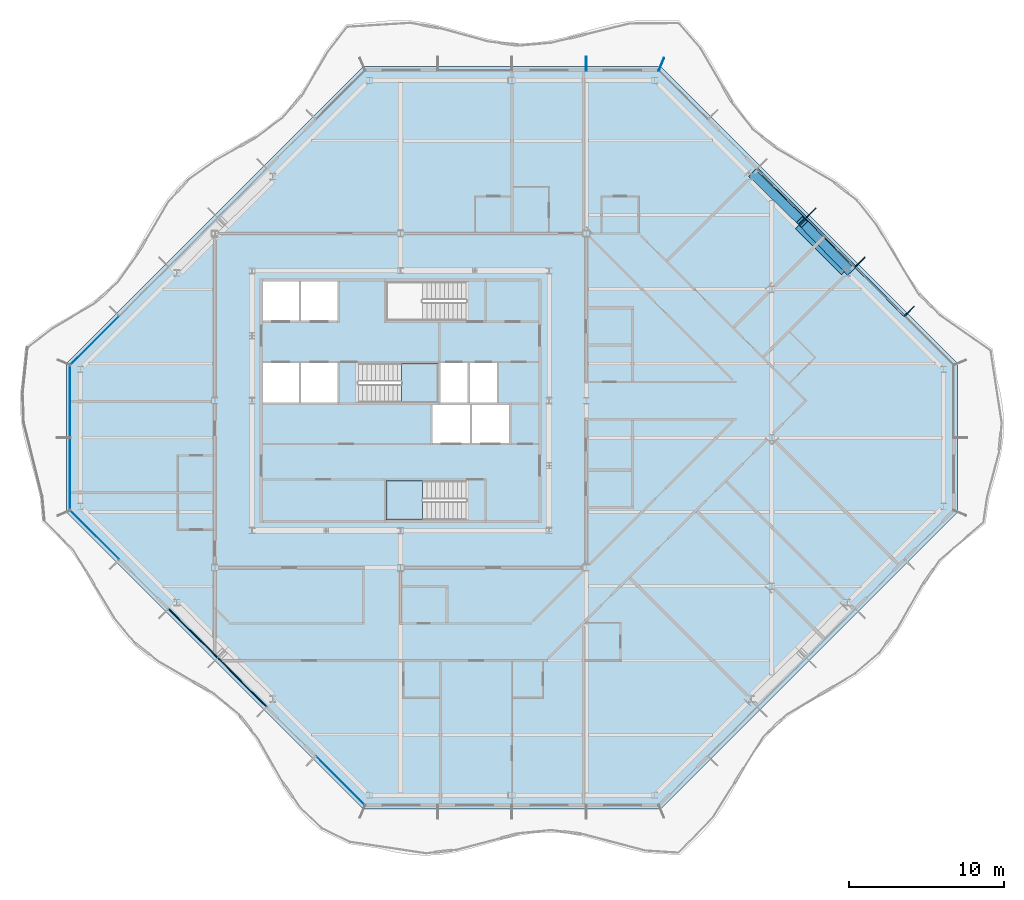
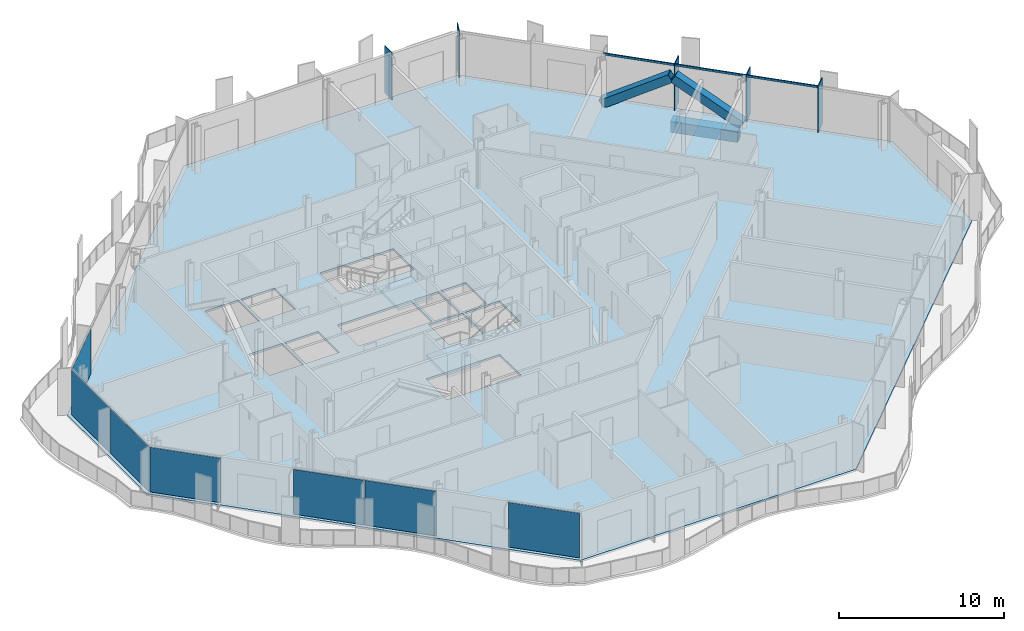
# One storey, part 5 of 17: 10 members, 7 plates, 3 slabs, 1 beam, 7 elements without a shape of their own.
"""IFC4 building model written with IfcOpenShell, lengths in metres."""

from ifc_helpers import new_model, si_unit, direction, frame, origin, origin_2d, place, context, subcontext, project, spatial, polyline, rectangle, hollow_rectangle, outline, extrude, material, layer, layer_set, material_profile, profile_set, type_object, element, aggregate, save


model = new_model("IFC4")

# Units and contexts
model_context = context("Model", 3, precision=1e-05, world=origin(), true_north=direction((0.0, 1.0)))
body_context = subcontext(model_context, "Body", "Model", "MODEL_VIEW")
ifc_project = project(units=[si_unit("LENGTHUNIT", "METRE"), si_unit("AREAUNIT", "SQUARE_METRE"), si_unit("VOLUMEUNIT", "CUBIC_METRE"), si_unit("PLANEANGLEUNIT", "RADIAN"), si_unit("MASSUNIT", "GRAM", prefix="KILO")], contexts=[model_context])

# Site, building, storey
site_placement = place(None, origin())
site = spatial("IfcSite", under=ifc_project, at=site_placement, CompositionType="ELEMENT")
building_placement = place(site_placement, origin())
building = spatial("IfcBuilding", under=site, at=building_placement, Name="Cairn Pilgrim Tower", CompositionType="ELEMENT")
storey_placement = place(building_placement, frame((0.0, 0.0, 221.39990234375)))
storey = spatial("IfcBuildingStorey", under=building, at=storey_placement, Name="L56", CompositionType="ELEMENT", Elevation=221.39990234375)

# Members
ifc_material_1 = material(Name="Structural steel S460M", Category="steel")
ifc_material_profile_1 = material_profile(ifc_material_1, hollow_rectangle(XDim=0.60009765625, YDim=0.60009765625, WallThickness=0.034912109375, at=origin_2d()), Name="BOX 600x600x35")
ifc_profile_set_1 = profile_set([ifc_material_profile_1], Name="Structural steel S460M")
member_type_1 = type_object("IfcMemberType", Name="BOX 600x600x35 BRACE", PredefinedType="BRACE", material=ifc_profile_set_1)
for number, where, z_axis, x_axis, name in (
    (1, (36.201416015625, 10.823974609375, 0.150146484375), (-0.594778373814, 0.610009201523, 0.523571828979), (-0.715988756584, -0.698111810848, 0.0), "XB-NE2-NE3-1"),
    (2, (30.02392578125, 17.00146484375, 0.150146484375), (0.610009201523, -0.594778373814, 0.523571828979), (0.698111810848, 0.715988756584, 0.0), "XB-NE2-NE3-2"),
):
    element("IfcMember", number, at=place(storey_placement, frame(where, z_axis=z_axis, x_axis=x_axis)), inside=storey, type_object=member_type_1, Name=name, PredefinedType="BRACE", context=body_context, shape_type="SweptSolid", body=[
        extrude(hollow_rectangle(XDim=0.60009765625, YDim=0.60009765625, WallThickness=0.034912109375, at=origin_2d()), origin(), (0.0, 0.0, 1.0), 5.033203125),
    ])

# Beam
ifc_material_2 = material(Name="Structural steel S355J2", Category="steel")
ifc_material_profile_2 = material_profile(ifc_material_2, hollow_rectangle(XDim=0.699951171875, YDim=0.800048828125, WallThickness=0.0400390625, at=origin_2d()), Name="BOX 700x800x40")
ifc_profile_set_2 = profile_set([ifc_material_profile_2], Name="Structural steel S355J2")
beam_type = type_object("IfcBeamType", Name="BOX 700x800x40 RING GIRDER", PredefinedType="SPANDREL", material=ifc_profile_set_2)
beam_placement = place(storey_placement, frame((35.943359375, 10.78369140625, -0.5498046875), z_axis=(-0.707077813866, 0.707135747321, 0.0), x_axis=(-0.707135747321, -0.707077813866, 0.0)))
element("IfcBeam", 3, at=beam_placement, inside=storey, type_object=beam_type, Name="RG3-NE2-NE3-1", PredefinedType="SPANDREL", context=body_context, shape_type="SweptSolid", body=[
    extrude(hollow_rectangle(XDim=0.699951171875, YDim=0.800048828125, WallThickness=0.0400390625, at=origin_2d()), origin(), (0.0, 0.0, 1.0), 4.214111328125),
])

# Curtain wall, members
ifc_material_3 = material(Name="Aluminium alloy 6063-T6 bronze anodised with Bronze tinted laminated low-E glass 8+16+8.8", Category="aluminium")
curtain_wall_type_1 = type_object("IfcCurtainWallType", Name="CHAMFER CORNER CURTAIN WALL", PredefinedType="NOTDEFINED", material=ifc_material_3)
curtain_wall_1_placement = place(storey_placement, origin())
curtain_wall_1 = element("IfcCurtainWall", 4, at=curtain_wall_1_placement, inside=storey, type_object=curtain_wall_type_1, Name="Chamfer Corner Curtain Wall NE", PredefinedType="NOTDEFINED")
ifc_material_4 = material(Name="Aluminium alloy 6063-T6 bronze anodised", Category="aluminium")
ifc_material_profile_3 = material_profile(ifc_material_4, rectangle(XDim=0.89990234375, YDim=0.06005859375, at=origin_2d()), Name="FIN MULLION 60x900 BRONZE")
ifc_profile_set_3 = profile_set([ifc_material_profile_3], Name="Aluminium alloy 6063-T6 bronze anodised")
member_type_2 = type_object("IfcMemberType", Name="FIN MULLION 60x900 BRONZE", PredefinedType="MULLION", material=ifc_profile_set_3)
member_1_placement = place(storey_placement, frame((40.0712890625, 8.1689453125, 0.0), z_axis=(0.0, 0.0, 1.0), x_axis=(0.707106781187, 0.707106781187, 0.0)))
member_1 = element("IfcMember", 5, at=member_1_placement, type_object=member_type_2, Name="Fin mullion NE2", PredefinedType="MULLION", context=body_context, shape_type="SweptSolid", body=[
    extrude(rectangle(XDim=0.89990234375, YDim=0.06005859375, at=origin_2d()), origin(), (0.0, 0.0, 1.0), 3.4501953125),
])
member_2_placement = place(storey_placement, frame((36.895751953125, 11.3447265625, 0.0), z_axis=(0.0, 0.0, 1.0), x_axis=(0.707106781187, 0.707106781187, 0.0)))
member_2 = element("IfcMember", 6, at=member_2_placement, type_object=member_type_2, Name="Fin mullion NE3", PredefinedType="MULLION", context=body_context, shape_type="SweptSolid", body=[
    extrude(rectangle(XDim=0.89990234375, YDim=0.06005859375, at=origin_2d()), origin(), (0.0, 0.0, 1.0), 3.4501953125),
])
member_3_placement = place(storey_placement, frame((33.72021484375, 14.520263671875, 0.0), z_axis=(0.0, 0.0, 1.0), x_axis=(0.707106781187, 0.707106781187, 0.0)))
member_3 = element("IfcMember", 7, at=member_3_placement, type_object=member_type_2, Name="Fin mullion NE4", PredefinedType="MULLION", context=body_context, shape_type="SweptSolid", body=[
    extrude(rectangle(XDim=0.89990234375, YDim=0.06005859375, at=origin_2d()), origin(), (0.0, 0.0, 1.0), 3.4501953125),
])

curtain_wall_type_2 = type_object("IfcCurtainWallType", Name="TOWER STICK CURTAIN WALL NS", PredefinedType="NOTDEFINED", material=ifc_material_3)
curtain_wall_2_placement = place(storey_placement, origin())
curtain_wall_2 = element("IfcCurtainWall", 8, at=curtain_wall_2_placement, inside=storey, type_object=curtain_wall_type_2, Name="Tower Stick Curtain Wall Ns N", PredefinedType="NOTDEFINED")
member_4_placement = place(storey_placement, frame((24.05712890625, 24.137939453125, 0.0), z_axis=(0.0, 0.0, 1.0), x_axis=(0.382683432365, 0.923879532511, 0.0)))
member_4 = element("IfcMember", 9, at=member_4_placement, type_object=member_type_2, Name="Fin mullion N1", PredefinedType="MULLION", context=body_context, shape_type="SweptSolid", body=[
    extrude(rectangle(XDim=0.89990234375, YDim=0.06005859375, at=origin_2d()), origin(), (0.0, 0.0, 1.0), 3.4501953125),
])
member_5_placement = place(storey_placement, frame((19.199951171875, 24.169921875, 0.0), z_axis=(0.0, 0.0, 1.0), x_axis=(0.0, 1.0, 0.0)))
member_5 = element("IfcMember", 10, at=member_5_placement, type_object=member_type_2, Name="Fin mullion N2", PredefinedType="MULLION", context=body_context, shape_type="SweptSolid", body=[
    extrude(rectangle(XDim=0.89990234375, YDim=0.06005859375, at=origin_2d()), origin(), (0.0, 0.0, 1.0), 3.4501953125),
])
aggregate(curtain_wall_2, [member_4, member_5])

# Member
ifc_material_profile_4 = material_profile(ifc_material_4, rectangle(XDim=0.080078125, YDim=0.14990234375, at=origin_2d()), Name="TRANSOM 80x150 BRONZE")
ifc_profile_set_4 = profile_set([ifc_material_profile_4], Name="Aluminium alloy 6063-T6 bronze anodised")
member_type_3 = type_object("IfcMemberType", Name="TRANSOM 80x150 BRONZE", PredefinedType="USERDEFINED", material=ifc_profile_set_4)
member_6_placement = place(storey_placement, frame((39.753173828125, 7.893310546875, 3.375), z_axis=(-0.707106781187, 0.707106781187, 0.0), x_axis=(-0.707106781187, -0.707106781187, 0.0)))
member_6 = element("IfcMember", 11, at=member_6_placement, type_object=member_type_3, Name="Transom NE2", ObjectType="TRANSOM", PredefinedType="USERDEFINED", context=body_context, shape_type="SweptSolid", body=[
    extrude(rectangle(XDim=0.080078125, YDim=0.14990234375, at=origin_2d()), origin(), (0.0, 0.0, 1.0), 4.430908203125),
])

member_7_placement = place(storey_placement, frame((36.57763671875, 11.06884765625, 3.375), z_axis=(-0.707134329907, 0.707079231393, 0.0), x_axis=(-0.707079231393, -0.707134329907, 0.0)))
member_7 = element("IfcMember", 12, at=member_7_placement, type_object=member_type_3, Name="Transom NE3", ObjectType="TRANSOM", PredefinedType="USERDEFINED", context=body_context, shape_type="SweptSolid", body=[
    extrude(rectangle(XDim=0.080078125, YDim=0.14990234375, at=origin_2d()), origin(), (0.0, 0.0, 1.0), 4.430908203125),
])

member_8_placement = place(storey_placement, frame((33.402099609375, 14.244384765625, 3.375), z_axis=(-0.707106781187, 0.707106781187, 0.0), x_axis=(-0.707106781187, -0.707106781187, 0.0)))
member_8 = element("IfcMember", 13, at=member_8_placement, type_object=member_type_3, Name="Transom NE4", ObjectType="TRANSOM", PredefinedType="USERDEFINED", context=body_context, shape_type="SweptSolid", body=[
    extrude(rectangle(XDim=0.080078125, YDim=0.14990234375, at=origin_2d()), origin(), (0.0, 0.0, 1.0), 4.43115234375),
])

aggregate(curtain_wall_1, [member_1, member_2, member_3, member_6, member_7, member_8])

# Slab
ifc_material_5 = material(Name="Concrete C35/45", Category="concrete")
ifc_layer_1 = layer(ifc_material_5, 0.14990234375)
ifc_layer_set_1 = layer_set([ifc_layer_1], Name="COMPOSITE FLOOR SLAB 150")
slab_type_1 = type_object("IfcSlabType", Name="COMPOSITE FLOOR SLAB 150", PredefinedType="FLOOR", material=ifc_layer_set_1)
slab_1_placement = place(storey_placement, frame((0.0, 0.0, -0.14990234375)))
element("IfcSlab", 14, at=slab_1_placement, inside=storey, type_object=slab_type_1, Name="FLOOR SLAB L56", PredefinedType="FLOOR", context=body_context, shape_type="SweptSolid", body=[
    extrude(outline(polyline([(4.800048828125, -24.0), (24.0, -24.0), (43.199951171875, -4.800048828125), (43.199951171875, 4.800048828125), (24.0, 24.0), (4.800048828125, 24.0), (-14.39990234375, 4.800048828125), (-14.39990234375, -4.800048828125), (4.800048828125, -24.0)]), holes=[polyline([(9.27490234375, -0.324951171875), (11.675048828125, -0.324951171875), (11.675048828125, 2.125), (9.27490234375, 2.125), (9.27490234375, -0.324951171875)]), polyline([(11.824951171875, -0.324951171875), (14.22509765625, -0.324951171875), (14.22509765625, 2.125), (11.824951171875, 2.125), (11.824951171875, -0.324951171875)]), polyline([(-1.72509765625, 2.27490234375), (0.625, 2.27490234375), (0.625, 4.824951171875), (-1.72509765625, 4.824951171875), (-1.72509765625, 2.27490234375)]), polyline([(0.77490234375, 2.27490234375), (3.125, 2.27490234375), (3.125, 4.824951171875), (0.77490234375, 4.824951171875), (0.77490234375, 2.27490234375)]), polyline([(-1.72509765625, 7.574951171875), (0.625, 7.574951171875), (0.625, 10.10009765625), (-1.72509765625, 10.10009765625), (-1.72509765625, 7.574951171875)]), polyline([(0.77490234375, 7.574951171875), (3.125, 7.574951171875), (3.125, 10.10009765625), (0.77490234375, 10.10009765625), (0.77490234375, 7.574951171875)]), polyline([(9.77490234375, 2.27490234375), (11.52490234375, 2.27490234375), (11.52490234375, 4.824951171875), (9.77490234375, 4.824951171875), (9.77490234375, 2.27490234375)]), polyline([(11.675048828125, 2.27490234375), (13.425048828125, 2.27490234375), (13.425048828125, 4.824951171875), (11.675048828125, 4.824951171875), (11.675048828125, 2.27490234375)]), polyline([(11.424560546875, -2.77490234375), (6.27490234375, -2.77490234375), (6.27490234375, -5.300048828125), (11.424560546875, -5.300048828125), (11.424560546875, -2.77490234375)]), polyline([(4.4755859375, 2.27490234375), (9.625, 2.27490234375), (9.625, 4.824951171875), (4.4755859375, 4.824951171875), (4.4755859375, 2.27490234375)]), polyline([(11.424560546875, 10.10009765625), (6.27490234375, 10.10009765625), (6.27490234375, 7.574951171875), (11.424560546875, 7.574951171875), (11.424560546875, 10.10009765625)])]), origin(), (0.0, 0.0, 1.0), 0.14990234375),
])

# Curtain wall, plates
curtain_wall_3_placement = place(storey_placement, origin())
curtain_wall_3 = element("IfcCurtainWall", 15, at=curtain_wall_3_placement, inside=storey, type_object=curtain_wall_type_1, Name="Chamfer Corner Curtain Wall SW", PredefinedType="NOTDEFINED")
ifc_material_6 = material(Name="Bronze anodised aluminium spandrel panel with mineral wool insulation", Category="aluminium")
ifc_layer_2 = layer(ifc_material_6, 0.06005859375)
ifc_layer_set_2 = layer_set([ifc_layer_2], Name="SPANDREL PANEL 4431x3300")
plate_type_1 = type_object("IfcPlateType", Name="SPANDREL PANEL 4431x3300", PredefinedType="CURTAIN_PANEL", material=ifc_layer_set_2)
plate_1_placement = place(storey_placement, frame((-6.2109375, -12.635498046875, 0.0), z_axis=(0.0, 0.0, 1.0), x_axis=(0.707106781187, -0.707106781187, 0.0)))
plate_1 = element("IfcPlate", 16, at=plate_1_placement, type_object=plate_type_1, Name="Spandrel Panel SW3-1", PredefinedType="CURTAIN_PANEL", context=body_context, shape_type="SweptSolid", body=[
    extrude(rectangle(XDim=4.430908203125, YDim=0.06005859375, at=origin_2d()), origin(), (0.0, 0.0, 1.0), 3.300048828125),
])
plate_2_placement = place(storey_placement, frame((-3.035400390625, -15.81103515625, 0.0), z_axis=(0.0, 0.0, 1.0), x_axis=(0.707106781187, -0.707106781187, 0.0)))
plate_2 = element("IfcPlate", 17, at=plate_2_placement, type_object=plate_type_1, Name="Spandrel Panel SW4-1", PredefinedType="CURTAIN_PANEL", context=body_context, shape_type="SweptSolid", body=[
    extrude(rectangle(XDim=4.430908203125, YDim=0.06005859375, at=origin_2d()), origin(), (0.0, 0.0, 1.0), 3.300048828125),
])

# Stair, slab
ifc_material_7 = material(Name="Concrete C32/40", Category="concrete")
stair_type = type_object("IfcStairType", Name="EXIT STAIR 1200", PredefinedType="HALF_TURN_STAIR", material=ifc_material_7)
stair_1_placement = place(storey_placement, origin())
stair_1 = element("IfcStair", 18, at=stair_1_placement, inside=storey, type_object=stair_type, Name="L56 Exit Stair A", PredefinedType="HALF_TURN_STAIR")
ifc_layer_3 = layer(ifc_material_7, 0.199951171875)
ifc_layer_set_3 = layer_set([ifc_layer_3], Name="STAIR LANDING 200")
slab_type_2 = type_object("IfcSlabType", Name="STAIR LANDING 200", PredefinedType="LANDING", material=ifc_layer_set_3)
slab_2_placement = place(storey_placement, frame((0.0, 0.0, 1.60009765625)))
slab_2 = element("IfcSlab", 19, at=slab_2_placement, type_object=slab_type_2, Name="ST-A landing 1", PredefinedType="LANDING", context=body_context, shape_type="SweptSolid", body=[
    extrude(outline(polyline([(8.625, -2.77490234375), (6.27490234375, -2.77490234375), (6.27490234375, -5.300048828125), (8.625, -5.300048828125), (8.625, -2.77490234375)])), origin(), (0.0, 0.0, 1.0), 0.199951171875),
])
aggregate(stair_1, [slab_2])

stair_2_placement = place(storey_placement, origin())
stair_2 = element("IfcStair", 20, at=stair_2_placement, inside=storey, type_object=stair_type, Name="L56 Exit Stair B", PredefinedType="HALF_TURN_STAIR")
slab_3_placement = place(storey_placement, frame((0.0, 0.0, 1.60009765625)))
slab_3 = element("IfcSlab", 21, at=slab_3_placement, type_object=slab_type_2, Name="ST-B landing 1", PredefinedType="LANDING", context=body_context, shape_type="SweptSolid", body=[
    extrude(outline(polyline([(7.27490234375, 2.27490234375), (9.625, 2.27490234375), (9.625, 4.824951171875), (7.27490234375, 4.824951171875), (7.27490234375, 2.27490234375)])), origin(), (0.0, 0.0, 1.0), 0.199951171875),
])
aggregate(stair_2, [slab_3])

# Curtain wall, plate
curtain_wall_4_placement = place(storey_placement, origin())
curtain_wall_4 = element("IfcCurtainWall", 22, at=curtain_wall_4_placement, inside=storey, type_object=curtain_wall_type_1, Name="Chamfer Corner Curtain Wall NW", PredefinedType="NOTDEFINED")
ifc_material_8 = material(Name="Bronze tinted laminated low-E glass 8+16+8.8", Category="glass")
ifc_layer_4 = layer(ifc_material_8, 0.033935546875)
ifc_layer_set_4 = layer_set([ifc_layer_4], Name="VISION GLAZING 4421x3300")
plate_type_2 = type_object("IfcPlateType", Name="VISION GLAZING 4421x3300", PredefinedType="CURTAIN_PANEL", material=ifc_layer_set_4)
plate_3_placement = place(storey_placement, frame((-12.55859375, 6.287841796875, 0.0), z_axis=(0.0, 0.0, 1.0), x_axis=(-0.707106781187, -0.707106781187, 0.0)))
plate_3 = element("IfcPlate", 23, at=plate_3_placement, type_object=plate_type_2, Name="Vision Glazing NW6-1", PredefinedType="CURTAIN_PANEL", context=body_context, shape_type="SweptSolid", body=[
    extrude(rectangle(XDim=4.4208984375, YDim=0.033935546875, at=origin_2d()), origin(), (0.0, 0.0, 1.0), 3.300048828125),
])
aggregate(curtain_wall_4, [plate_3])

# Plate
plate_4_placement = place(storey_placement, frame((-12.55859375, -6.287841796875, 0.0), z_axis=(0.0, 0.0, 1.0), x_axis=(0.707106781187, -0.707106781187, 0.0)))
plate_4 = element("IfcPlate", 24, at=plate_4_placement, type_object=plate_type_2, Name="Vision Glazing SW1-1", PredefinedType="CURTAIN_PANEL", context=body_context, shape_type="SweptSolid", body=[
    extrude(rectangle(XDim=4.4208984375, YDim=0.033935546875, at=origin_2d()), origin(), (0.0, 0.0, 1.0), 3.300048828125),
])

plate_5_placement = place(storey_placement, frame((3.312255859375, -22.15869140625, 0.0), z_axis=(0.0, 0.0, 1.0), x_axis=(0.707106781187, -0.707106781187, 0.0)))
plate_5 = element("IfcPlate", 25, at=plate_5_placement, type_object=plate_type_2, Name="Vision Glazing SW6-1", PredefinedType="CURTAIN_PANEL", context=body_context, shape_type="SweptSolid", body=[
    extrude(rectangle(XDim=4.4208984375, YDim=0.033935546875, at=origin_2d()), origin(), (0.0, 0.0, 1.0), 3.300048828125),
])

aggregate(curtain_wall_3, [plate_4, plate_1, plate_2, plate_5])

# Curtain wall, plates
curtain_wall_type_3 = type_object("IfcCurtainWallType", Name="TOWER STICK CURTAIN WALL EW", PredefinedType="NOTDEFINED", material=ifc_material_3)
curtain_wall_5_placement = place(storey_placement, origin())
curtain_wall_5 = element("IfcCurtainWall", 26, at=curtain_wall_5_placement, inside=storey, type_object=curtain_wall_type_3, Name="Tower Stick Curtain Wall Ew W", PredefinedType="NOTDEFINED")
ifc_layer_5 = layer(ifc_material_8, 0.033935546875)
ifc_layer_set_5 = layer_set([ifc_layer_5], Name="VISION GLAZING 4626x3300")
plate_type_3 = type_object("IfcPlateType", Name="VISION GLAZING 4626x3300", PredefinedType="CURTAIN_PANEL", material=ifc_layer_set_5)
plate_6_placement = place(storey_placement, frame((-14.14990234375, 2.34326171875, 0.0), z_axis=(0.0, 0.0, 1.0), x_axis=(0.0, -1.0, 0.0)))
plate_6 = element("IfcPlate", 27, at=plate_6_placement, type_object=plate_type_3, Name="Vision Glazing W1-1", PredefinedType="CURTAIN_PANEL", context=body_context, shape_type="SweptSolid", body=[
    extrude(rectangle(XDim=4.62646484375, YDim=0.033935546875, at=origin_2d()), origin(), (0.0, 0.0, 1.0), 3.300048828125),
])
plate_7_placement = place(storey_placement, frame((-14.14990234375, -2.34326171875, 0.0), z_axis=(0.0, 0.0, 1.0), x_axis=(0.0, -1.0, 0.0)))
plate_7 = element("IfcPlate", 28, at=plate_7_placement, type_object=plate_type_3, Name="Vision Glazing W2-1", PredefinedType="CURTAIN_PANEL", context=body_context, shape_type="SweptSolid", body=[
    extrude(rectangle(XDim=4.62646484375, YDim=0.033935546875, at=origin_2d()), origin(), (0.0, 0.0, 1.0), 3.300048828125),
])
aggregate(curtain_wall_5, [plate_6, plate_7])

save(model, "model.ifc")
